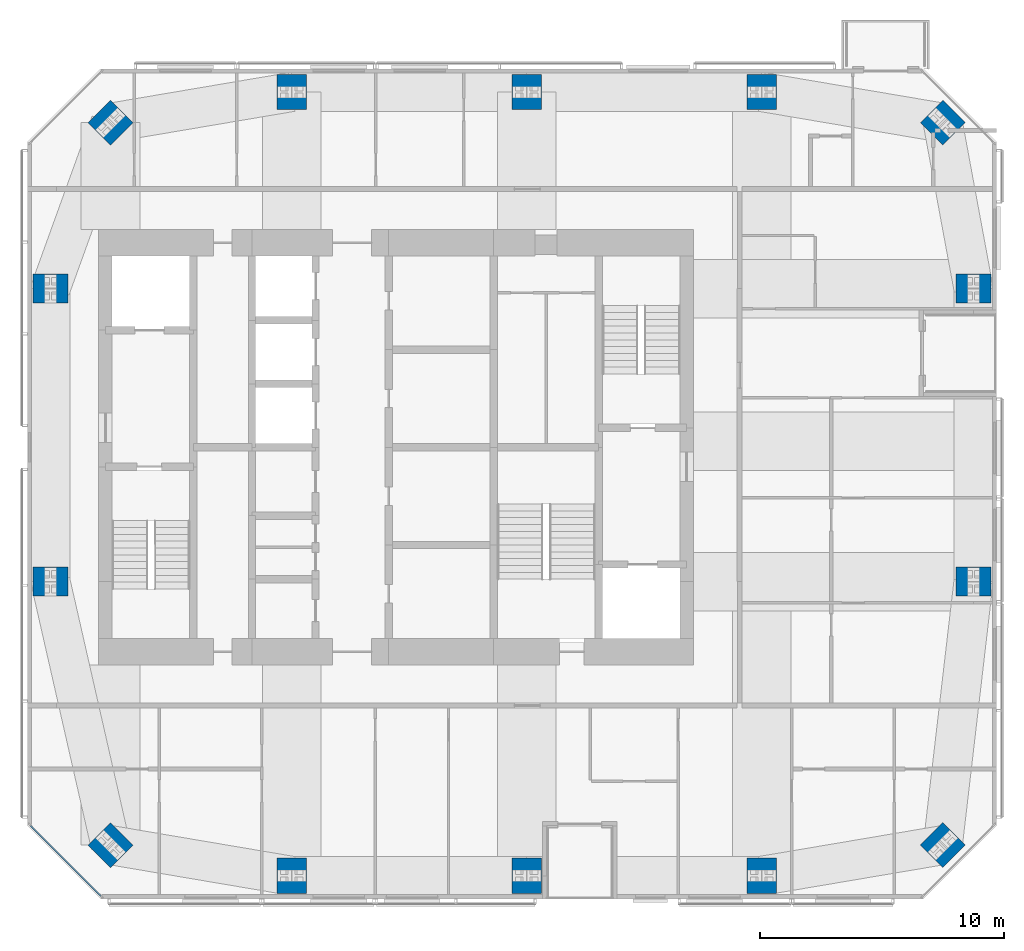
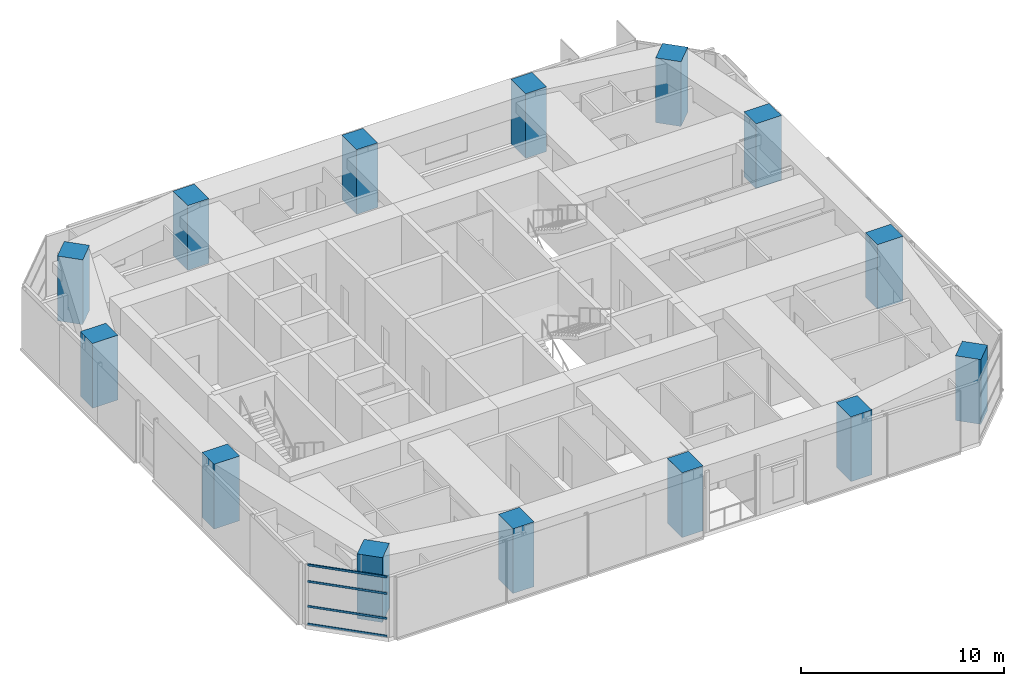
# One storey, part 1 of 20: 14 columns, 4 members, 1 element without a shape of its own.
"""IFC4 building model written with IfcOpenShell, lengths in metres."""

from ifc_helpers import new_model, si_unit, direction, frame, origin, origin_2d, place, context, subcontext, project, spatial, rectangle, extrude, material, material_profile, profile_set, type_object, element, aggregate, save


model = new_model("IFC4")

# Units and contexts
model_context = context("Model", 3, precision=1e-05, world=origin(), true_north=direction((0.0, 1.0)))
body_context = subcontext(model_context, "Body", "Model", "MODEL_VIEW")
ifc_project = project(units=[si_unit("LENGTHUNIT", "METRE"), si_unit("AREAUNIT", "SQUARE_METRE"), si_unit("VOLUMEUNIT", "CUBIC_METRE"), si_unit("PLANEANGLEUNIT", "RADIAN"), si_unit("MASSUNIT", "GRAM", prefix="KILO")], contexts=[model_context])

# Site, building, storey
site_placement = place(None, origin())
site = spatial("IfcSite", under=ifc_project, at=site_placement, CompositionType="ELEMENT")
building_placement = place(site_placement, origin())
building = spatial("IfcBuilding", under=site, at=building_placement, Name="Jalousie Tower", CompositionType="ELEMENT")
storey_placement = place(building_placement, frame((0.0, 0.0, 263.85009765625)))
storey = spatial("IfcBuildingStorey", under=building, at=storey_placement, Name="L72", CompositionType="ELEMENT", Elevation=263.85009765625)

# Columns
ifc_material_1 = material(Name="Concrete f'c 120 MPa", Category="concrete")
ifc_material_profile_1 = material_profile(ifc_material_1, rectangle(XDim=1.300048828125, YDim=1.300048828125, at=origin_2d()), Name="RC 1300x1300")
ifc_profile_set_1 = profile_set([ifc_material_profile_1], Name="Concrete f'c 120 MPa")
column_type_1 = type_object("IfcColumnType", Name="RC COLUMN 1300x1300", PredefinedType="COLUMN", material=ifc_profile_set_1)
for number, where, z_axis, x_axis, name in (
    (1, (20.20703125, 2.20703125, 0.0), (0.0, 0.0, 1.0), (0.707106781187, 0.707106781187, 0.0), "Column 01 L72"),
    (2, (54.29296875, 2.20703125, 0.0), (0.0, 0.0, 1.0), (0.707106781187, 0.707106781187, 0.0), "Column 05 L72"),
    (3, (54.29296875, 31.79296875, 0.0), (0.0, 0.0, 1.0), (0.707106781187, 0.707106781187, 0.0), "Column 08 L72"),
    (4, (20.20703125, 31.79296875, 0.0), (0.0, 0.0, 1.0), (0.707106781187, 0.707106781187, 0.0), "Column 12 L72"),
):
    element("IfcColumn", number, at=place(storey_placement, frame(where, z_axis=z_axis, x_axis=x_axis)), inside=storey, type_object=column_type_1, Name=name, PredefinedType="COLUMN", context=body_context, shape_type="SweptSolid", body=[
        extrude(rectangle(XDim=1.300048828125, YDim=1.300048828125, at=origin_2d()), origin(), (0.0, 0.0, 1.0), 3.89990234375),
    ])
ifc_material_2 = material(Name="Concrete f'c 120 MPa", Category="concrete")
ifc_material_profile_2 = material_profile(ifc_material_2, rectangle(XDim=1.449951171875, YDim=1.199951171875, at=origin_2d()), Name="RC 1450x1200")
ifc_profile_set_2 = profile_set([ifc_material_profile_2], Name="Concrete f'c 120 MPa")
column_type_2 = type_object("IfcColumnType", Name="RC COLUMN 1450x1200", PredefinedType="COLUMN", material=ifc_profile_set_2)
for number, where, z_axis, x_axis, name in (
    (5, (27.625, 0.949951171875, 0.0), (0.0, 0.0, 1.0), (0.0, 1.0, 0.0), "Column 02 L72"),
    (6, (37.25, 0.949951171875, 0.0), (0.0, 0.0, 1.0), (0.0, 1.0, 0.0), "Column 03 L72"),
    (7, (46.875, 0.949951171875, 0.0), (0.0, 0.0, 1.0), (0.0, 1.0, 0.0), "Column 04 L72"),
    (8, (55.550048828125, 13.0, 0.0), (0.0, 0.0, 1.0), (1.0, 0.0, 0.0), "Column 06 L72"),
    (9, (55.550048828125, 25.0, 0.0), (0.0, 0.0, 1.0), (1.0, 0.0, 0.0), "Column 07 L72"),
    (10, (46.875, 33.050048828125, 0.0), (0.0, 0.0, 1.0), (0.0, 1.0, 0.0), "Column 09 L72"),
    (11, (37.25, 33.050048828125, 0.0), (0.0, 0.0, 1.0), (0.0, 1.0, 0.0), "Column 10 L72"),
    (12, (27.625, 33.050048828125, 0.0), (0.0, 0.0, 1.0), (0.0, 1.0, 0.0), "Column 11 L72"),
    (13, (17.75, 25.0, 0.0), (0.0, 0.0, 1.0), (1.0, 0.0, 0.0), "Column 13 L72"),
    (14, (17.75, 13.0, 0.0), (0.0, 0.0, 1.0), (1.0, 0.0, 0.0), "Column 14 L72"),
):
    element("IfcColumn", number, at=place(storey_placement, frame(where, z_axis=z_axis, x_axis=x_axis)), inside=storey, type_object=column_type_2, Name=name, PredefinedType="COLUMN", context=body_context, shape_type="SweptSolid", body=[
        extrude(rectangle(XDim=1.449951171875, YDim=1.199951171875, at=origin_2d()), origin(), (0.0, 0.0, 1.0), 3.89990234375),
    ])

# Curtain wall, members
ifc_material_3 = material(Name="Aluminium curtain wall", Category="aluminium")
curtain_wall_type = type_object("IfcCurtainWallType", Name="PENTHOUSE CORNER WINDOW WALL", PredefinedType="USERDEFINED", material=ifc_material_3)
curtain_wall_placement = place(storey_placement, origin())
curtain_wall = element("IfcCurtainWall", 15, at=curtain_wall_placement, inside=storey, type_object=curtain_wall_type, Name="Penthouse Corner Window Wall L72 8", ObjectType="PENTHOUSE CORNER WINDOW WALL", PredefinedType="USERDEFINED")
ifc_material_4 = material(Name="Aluminium transom", Category="aluminium")
ifc_material_profile_3 = material_profile(ifc_material_4, rectangle(XDim=0.06005859375, YDim=0.125, at=origin_2d()), Name="TRANSOM 60x125")
ifc_profile_set_3 = profile_set([ifc_material_profile_3], Name="Aluminium transom")
member_type = type_object("IfcMemberType", Name="PENTHOUSE CORNER WINDOW WALL TRANSOM", PredefinedType="USERDEFINED", material=ifc_profile_set_3)
member_1_placement = place(storey_placement, frame((16.929931640625, 3.0087890625, 0.02978515625), z_axis=(0.707106781187, -0.707106781187, 0.0), x_axis=(0.707106781187, 0.707106781187, 0.0)))
member_1 = element("IfcMember", 16, at=member_1_placement, type_object=member_type, Name="CW-H transom 1.1", ObjectType="TRANSOM", PredefinedType="USERDEFINED", context=body_context, shape_type="SweptSolid", body=[
    extrude(rectangle(XDim=0.06005859375, YDim=0.125, at=origin_2d()), origin(), (0.0, 0.0, 1.0), 4.0712890625),
])
member_2_placement = place(storey_placement, frame((16.929931640625, 3.0087890625, 1.099853515625), z_axis=(0.707106781187, -0.707106781187, 0.0), x_axis=(0.707106781187, 0.707106781187, 0.0)))
member_2 = element("IfcMember", 17, at=member_2_placement, type_object=member_type, Name="CW-H transom 1.2", ObjectType="TRANSOM", PredefinedType="USERDEFINED", context=body_context, shape_type="SweptSolid", body=[
    extrude(rectangle(XDim=0.06005859375, YDim=0.125, at=origin_2d()), origin(), (0.0, 0.0, 1.0), 4.0712890625),
])
member_3_placement = place(storey_placement, frame((16.929931640625, 3.0087890625, 2.599853515625), z_axis=(0.707106781187, -0.707106781187, 0.0), x_axis=(0.707106781187, 0.707106781187, 0.0)))
member_3 = element("IfcMember", 18, at=member_3_placement, type_object=member_type, Name="CW-H transom 1.3", ObjectType="TRANSOM", PredefinedType="USERDEFINED", context=body_context, shape_type="SweptSolid", body=[
    extrude(rectangle(XDim=0.06005859375, YDim=0.125, at=origin_2d()), origin(), (0.0, 0.0, 1.0), 4.0712890625),
])
member_4_placement = place(storey_placement, frame((16.929931640625, 3.0087890625, 3.58984375), z_axis=(0.707106781187, -0.707106781187, 0.0), x_axis=(0.707106781187, 0.707106781187, 0.0)))
member_4 = element("IfcMember", 19, at=member_4_placement, type_object=member_type, Name="CW-H transom 1.4", ObjectType="TRANSOM", PredefinedType="USERDEFINED", context=body_context, shape_type="SweptSolid", body=[
    extrude(rectangle(XDim=0.06005859375, YDim=0.125, at=origin_2d()), origin(), (0.0, 0.0, 1.0), 4.0712890625),
])
aggregate(curtain_wall, [member_1, member_2, member_3, member_4])

save(model, "model.ifc")
